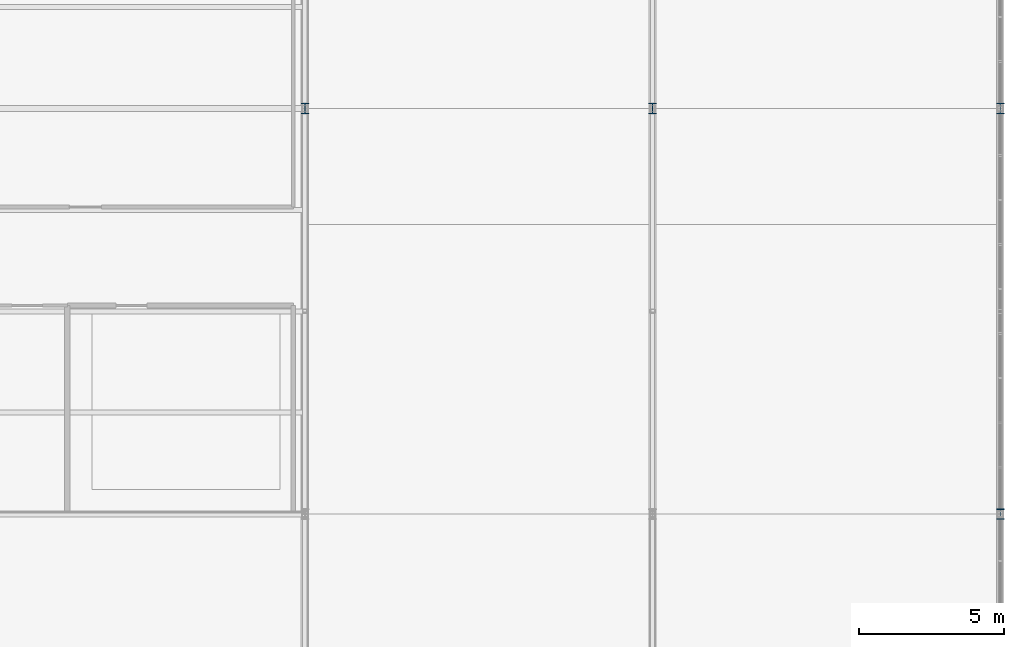
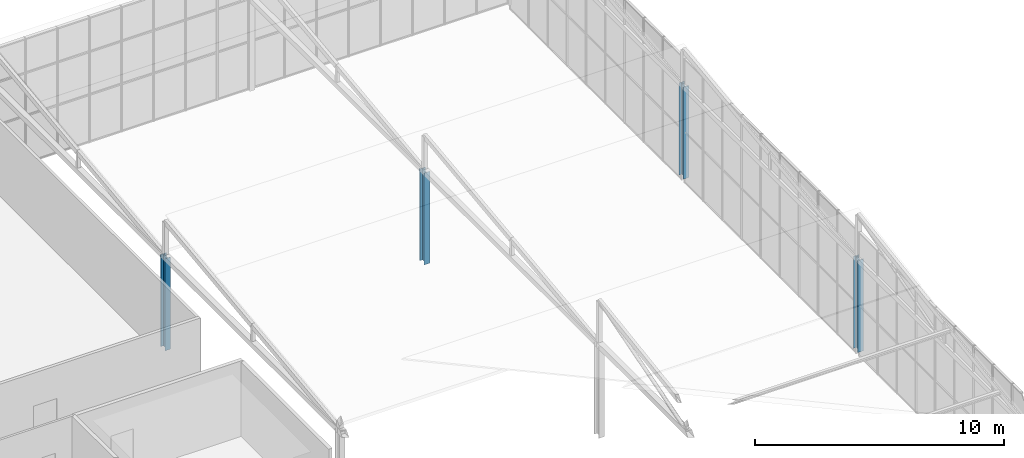
# One storey, part 7 of 104: 4 columns.
"""IFC4 building model written with IfcOpenShell, lengths in metres."""

from ifc_helpers import new_model, si_unit, direction, frame, origin, origin_2d, place, context, subcontext, project, spatial, i_section, extrude, material, material_profile, profile_set, type_object, element, save


model = new_model("IFC4")

# Units and contexts
model_context = context("Model", 3, precision=1e-05, world=origin(), true_north=direction((0.0, 1.0)))
body_context = subcontext(model_context, "Body", "Model", "MODEL_VIEW")
ifc_project = project(units=[si_unit("LENGTHUNIT", "METRE"), si_unit("AREAUNIT", "SQUARE_METRE"), si_unit("VOLUMEUNIT", "CUBIC_METRE"), si_unit("PLANEANGLEUNIT", "RADIAN"), si_unit("MASSUNIT", "GRAM", prefix="KILO")], contexts=[model_context])

# Site, building, storey
site_placement = place(None, origin())
site = spatial("IfcSite", under=ifc_project, at=site_placement, CompositionType="ELEMENT")
building_placement = place(site_placement, origin())
building = spatial("IfcBuilding", under=site, at=building_placement, Name="Solvenia Promenade Tram Depot", CompositionType="ELEMENT")
storey_placement = place(building_placement, frame((0.0, 0.0, 9.0)))
storey = spatial("IfcBuildingStorey", under=building, at=storey_placement, Name="L02", CompositionType="ELEMENT", Elevation=9.0)

# Columns
ifc_material = material(Name="Structural steel ASTM A992 Gr. 50", Category="steel")
ifc_material_profile = material_profile(ifc_material, i_section(OverallWidth=0.257080078125, OverallDepth=0.363037109375, WebThickness=0.012939453125, FlangeThickness=0.021728515625, FilletRadius=0.014892578125, at=origin_2d()), Name="W360x122", Category="steel")
ifc_profile_set = profile_set([ifc_material_profile], Name="Structural steel ASTM A992 Gr. 50")
column_type = type_object("IfcColumnType", Name="Col-W360x122", PredefinedType="COLUMN", material=ifc_profile_set)
for number, where, z_axis, x_axis, name in (
    (1, (162.0, 52.0, 0.0), (0.0, 0.0, 1.0), (1.0, 0.0, 0.0), "Steel Column COL-L02-336"),
    (2, (174.0, 52.0, 0.0), (0.0, 0.0, 1.0), (1.0, 0.0, 0.0), "Steel Column COL-L02-353"),
    (3, (186.0, 38.0, 0.0), (0.0, 0.0, 1.0), (1.0, 0.0, 0.0), "Steel Column COL-L02-365"),
    (4, (186.0, 52.0, 0.0), (0.0, 0.0, 1.0), (1.0, 0.0, 0.0), "Steel Column COL-L02-368"),
):
    element("IfcColumn", number, at=place(storey_placement, frame(where, z_axis=z_axis, x_axis=x_axis)), inside=storey, type_object=column_type, Name=name, PredefinedType="COLUMN", context=body_context, shape_type="SweptSolid", body=[
        extrude(i_section(OverallWidth=0.257080078125, OverallDepth=0.363037109375, WebThickness=0.012939453125, FlangeThickness=0.021728515625, FilletRadius=0.014892578125, at=origin_2d()), origin(), (0.0, 0.0, 1.0), 4.5),
    ])

save(model, "model.ifc")
